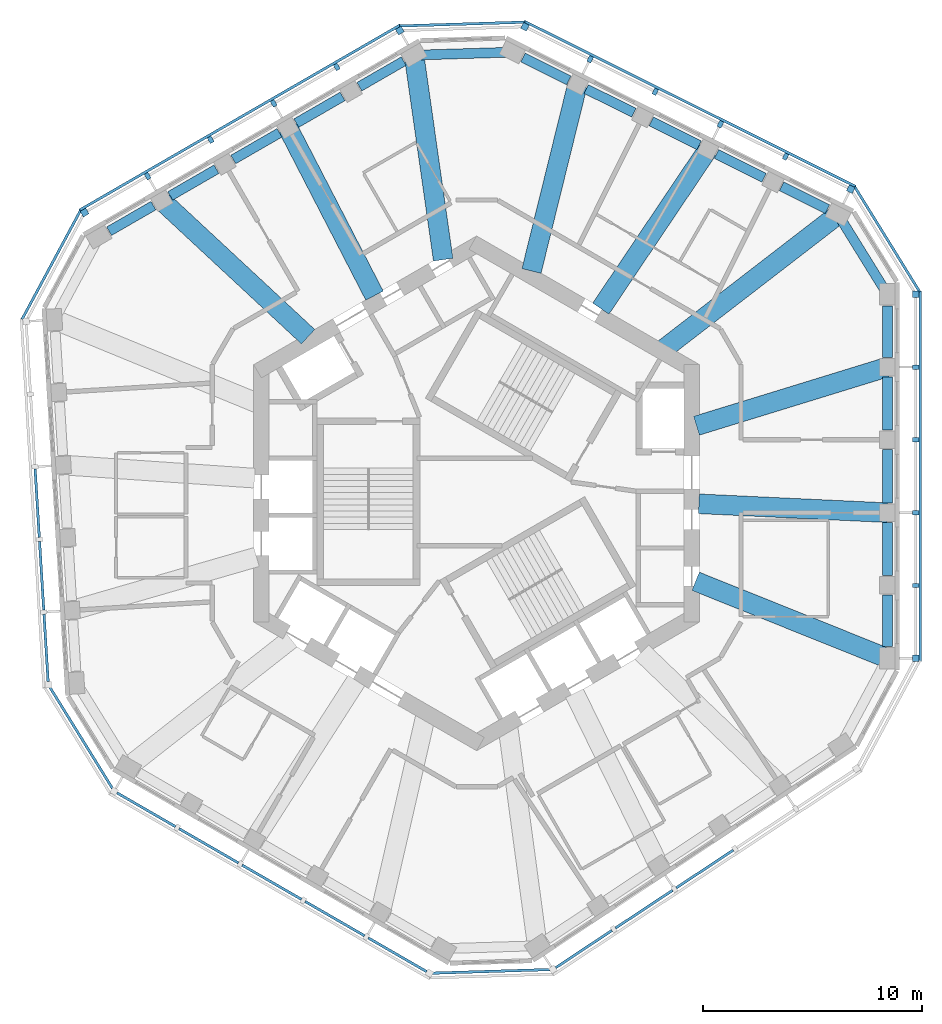
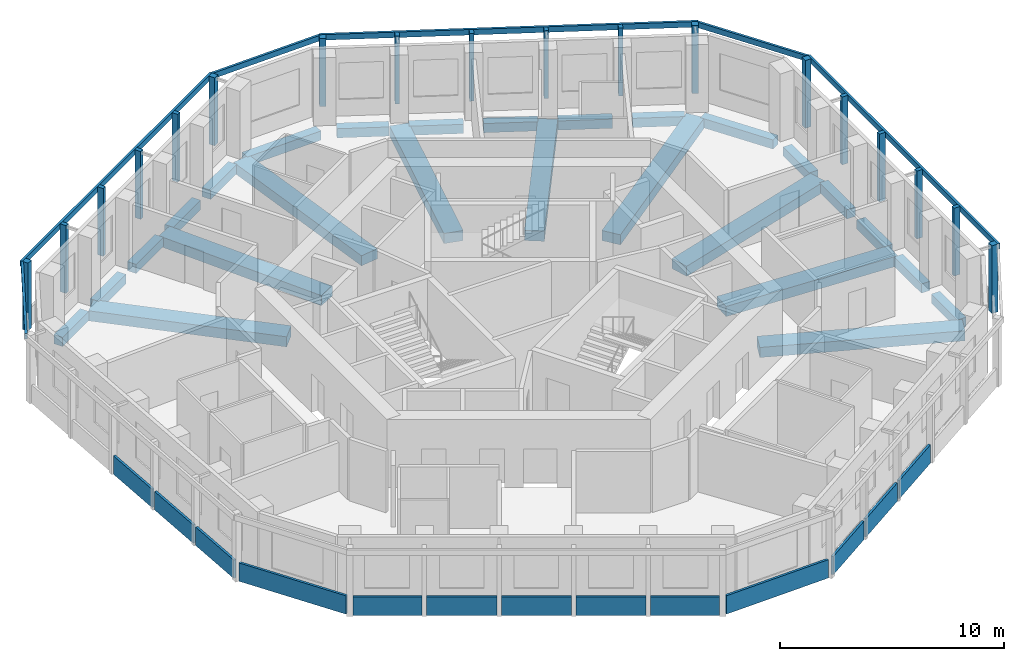
# One storey, part 2 of 11: 26 beams, 24 members, 13 plates, 11 elements without a shape of their own.
"""IFC4 building model written with IfcOpenShell, lengths in metres."""

import ifcopenshell
import ifcopenshell.guid

model = None  # the IFC model being written
_history = None  # IfcOwnerHistory: only IFC2X3 demands one
_inside = {}  # id of a spatial element -> (the spatial element, [elements in it])
_under = {}  # id of a project, library or spatial element -> (it, [spatial elements below it])
_declared = {}  # id of a project -> (the project, [libraries it declares])
_typed = {}  # id of a type object -> (the type object, [elements of that type])
_made_of = {}  # id of a material, layer set ... -> (it, [elements and type objects made of it])


def new_model(schema):
    """Start an empty IFC model of exactly this schema.

    Asked for "IFC4X3", IfcOpenShell would pick the latest addendum, in which some entities
    have other attributes; the version numbers below select the first issue.
    IFC2X3 requires an IfcOwnerHistory on every rooted entity: one is made here for all.
    """
    global model, _history
    if schema == "IFC4X3":
        model = ifcopenshell.file(schema_version=(4, 3, 0, 0))
    else:
        model = ifcopenshell.file(schema=schema)
    _inside.clear()
    _under.clear()
    _declared.clear()
    _typed.clear()
    _made_of.clear()
    _history = None
    if model.schema == "IFC2X3":
        org = make("IfcOrganization", Name="unknown")
        user = make(
            "IfcPersonAndOrganization",
            ThePerson=make("IfcPerson", FamilyName="unknown"),
            TheOrganization=org,
        )
        app = make(
            "IfcApplication",
            ApplicationDeveloper=org,
            Version="unknown",
            ApplicationFullName="unknown",
            ApplicationIdentifier="unknown",
        )
        _history = make(
            "IfcOwnerHistory",
            OwningUser=user,
            OwningApplication=app,
            ChangeAction="ADDED",
            CreationDate=0,
        )
    return model


def make(cls, **values):
    """One entity of the class cls with the attributes given. An attribute that is None is left unset."""
    return model.create_entity(
        cls, **{name: value for name, value in values.items() if value is not None}
    )


def rooted(cls, **values):
    """An entity with a GlobalId (a new one), such as an element, a storey or a relation."""
    return make(cls, GlobalId=ifcopenshell.guid.new(), OwnerHistory=_history, **values)


def si_unit(unit_type, name, prefix=None):
    """IfcSIUnit, for example si_unit("LENGTHUNIT", "METRE", prefix="MILLI")."""
    return make("IfcSIUnit", UnitType=unit_type, Prefix=prefix, Name=name)


def assignment(units):
    """IfcUnitAssignment: the units of a project."""
    return None if units is None else make("IfcUnitAssignment", Units=units)


def point(xyz):
    """IfcCartesianPoint."""
    return None if xyz is None else make("IfcCartesianPoint", Coordinates=xyz)


def direction(xyz):
    """IfcDirection."""
    return None if xyz is None else make("IfcDirection", DirectionRatios=xyz)


def frame(location, z_axis=None, x_axis=None):
    """IfcAxis2Placement3D, a coordinate frame: its origin and axes. An axis left out is left unset."""
    return make(
        "IfcAxis2Placement3D",
        Location=point(location),
        Axis=direction(z_axis),
        RefDirection=direction(x_axis),
    )


def frame_2d(location, x_axis=None):
    """IfcAxis2Placement2D, a coordinate frame in the plane: its origin and x axis."""
    return make(
        "IfcAxis2Placement2D", Location=point(location), RefDirection=direction(x_axis)
    )


def origin():
    """The frame at (0, 0, 0) with its axes left unset."""
    return frame((0.0, 0.0, 0.0))


def origin_2d():
    """The frame at (0, 0) in the plane with its x axis left unset."""
    return frame_2d((0.0, 0.0))


def place(relative_to, where):
    """IfcLocalPlacement: puts the frame where relative to a parent placement (None: the world)."""
    return make(
        "IfcLocalPlacement", PlacementRelTo=relative_to, RelativePlacement=where
    )


def context(
    kind, dimensions, precision=None, world=None, true_north=None, identifier=None
):
    """IfcGeometricRepresentationContext, for example the 3D "Model" context."""
    return make(
        "IfcGeometricRepresentationContext",
        ContextIdentifier=identifier,
        ContextType=kind,
        CoordinateSpaceDimension=dimensions,
        Precision=precision,
        WorldCoordinateSystem=world,
        TrueNorth=true_north,
    )


def subcontext(parent, identifier, kind, view, scale=None):
    """IfcGeometricRepresentationSubContext, for example "Body" below "Model"."""
    return make(
        "IfcGeometricRepresentationSubContext",
        ContextIdentifier=identifier,
        ContextType=kind,
        ParentContext=parent,
        TargetScale=scale,
        TargetView=view,
    )


def project(units=None, contexts=None):
    """IfcProject with its units and contexts."""
    return rooted(
        "IfcProject",
        Name="project",
        RepresentationContexts=contexts,
        UnitsInContext=assignment(units),
    )


def spatial(cls, under=None, at=None, **own):
    """A site, building, storey or space (cls), placed at a placement, below another one or the project."""
    s = rooted(cls, ObjectPlacement=at, **own)
    if under is not None:
        _under.setdefault(under.id(), (under, []))[1].append(s)
    return s


def profile(cls, at=None, kind="AREA", **sizes):
    """A parametric profile (cls). Its sizes go by their IFC names, for example OverallWidth=200.0."""
    return make(cls, ProfileType=kind, Position=at, **sizes)


def rectangle(**sizes):
    """IfcRectangleProfileDef."""
    return profile("IfcRectangleProfileDef", **sizes)


def extrude(swept, where, along, depth):
    """IfcExtrudedAreaSolid: the profile swept, set in the frame where, extruded along a direction by depth."""
    return make(
        "IfcExtrudedAreaSolid",
        SweptArea=swept,
        Position=where,
        ExtrudedDirection=direction(along),
        Depth=depth,
    )


def shape(context_of_items, identifier, shape_type, items):
    """IfcShapeRepresentation: the items that make up one representation, for example the "Body"."""
    return make(
        "IfcShapeRepresentation",
        ContextOfItems=context_of_items,
        RepresentationIdentifier=identifier,
        RepresentationType=shape_type,
        Items=items,
    )


def material(Name=None, Category=None):
    """IfcMaterial."""
    return make("IfcMaterial", Name=Name, Category=Category)


def layer(
    of_material, thickness, ventilated=None, Name=None, Category=None, Priority=None
):
    """IfcMaterialLayer: one layer of a wall or slab, of a material (None: an air gap)."""
    return make(
        "IfcMaterialLayer",
        Material=of_material,
        LayerThickness=thickness,
        IsVentilated=ventilated,
        Name=Name,
        Category=Category,
        Priority=Priority,
    )


def layer_set(layers, Name=None):
    """IfcMaterialLayerSet."""
    return make("IfcMaterialLayerSet", MaterialLayers=layers, LayerSetName=Name)


def material_profile(
    of_material, cross_section, Name=None, Category=None, Priority=None
):
    """IfcMaterialProfile: a cross section and its material."""
    return make(
        "IfcMaterialProfile",
        Name=Name,
        Material=of_material,
        Profile=cross_section,
        Priority=Priority,
        Category=Category,
    )


def profile_set(profiles, Name=None, composite=None):
    """IfcMaterialProfileSet."""
    return make(
        "IfcMaterialProfileSet",
        Name=Name,
        MaterialProfiles=profiles,
        CompositeProfile=composite,
    )


def made_of(thing, what):
    """Note that an element or type object is made of a material, layer set ...; save() writes the relation."""
    if what is not None:
        _made_of.setdefault(what.id(), (what, []))[1].append(thing)
    return thing


def type_object(cls, material=None, **own):
    """A type object (cls), such as IfcWallType, which elements share."""
    return made_of(rooted(cls, **own), material)


def element(
    cls,
    number,
    at=None,
    inside=None,
    cuts=None,
    type_object=None,
    material=None,
    context=None,
    identifier="Body",
    shape_type=None,
    held_by="IfcProductDefinitionShape",
    body=None,
    shapes=None,
    **own,
):
    """One element of the class cls, such as IfcWall. Its Tag is "e" and its number.

    at: its placement. inside: the storey or other place that contains it. cuts: it is an
    opening in that element (IfcRelVoidsElement). A single representation is given by context,
    identifier, shape_type and body (its items); several are given by shapes. held_by: the class
    of the entity that holds the representations. save() writes the other relations.
    """
    e = rooted(cls, Tag="e%d" % number, ObjectPlacement=at, **own)
    if body is not None:
        shapes = [shape(context, identifier, shape_type, body)]
    if shapes is not None:
        e.Representation = make(held_by, Representations=shapes)
    if inside is not None:
        _inside.setdefault(inside.id(), (inside, []))[1].append(e)
    if cuts is not None:
        rooted(
            "IfcRelVoidsElement", RelatingBuildingElement=cuts, RelatedOpeningElement=e
        )
    if type_object is not None:
        _typed.setdefault(type_object.id(), (type_object, []))[1].append(e)
    return made_of(e, material)


def aggregate(whole, parts):
    """IfcRelAggregates: a whole, such as a stair, and the parts it consists of."""
    return rooted("IfcRelAggregates", RelatingObject=whole, RelatedObjects=parts)


def save(model, path):
    """Write the relations noted so far, then the file.

    IfcRelAggregates (storeys below a building ...), IfcRelContainedInSpatialStructure (elements
    in a storey), IfcRelDefinesByType, IfcRelAssociatesMaterial and IfcRelDeclares: one each for
    every whole, place, type object, material and project.
    """
    for whole, parts in _under.values():
        aggregate(whole, parts)
    for where, things in _inside.values():
        rooted(
            "IfcRelContainedInSpatialStructure",
            RelatedElements=things,
            RelatingStructure=where,
        )
    for kind, things in _typed.values():
        rooted("IfcRelDefinesByType", RelatedObjects=things, RelatingType=kind)
    for what, things in _made_of.values():
        rooted("IfcRelAssociatesMaterial", RelatedObjects=things, RelatingMaterial=what)
    for by, libraries in _declared.values():
        rooted("IfcRelDeclares", RelatingContext=by, RelatedDefinitions=libraries)
    model.write(path)


model = new_model("IFC4")

# Units and contexts
model_context = context("Model", 3, precision=1e-05, world=origin(), true_north=direction((0.0, 1.0)))
body_context = subcontext(model_context, "Body", "Model", "MODEL_VIEW")
ifc_project = project(units=[si_unit("LENGTHUNIT", "METRE"), si_unit("AREAUNIT", "SQUARE_METRE"), si_unit("VOLUMEUNIT", "CUBIC_METRE"), si_unit("PLANEANGLEUNIT", "RADIAN"), si_unit("MASSUNIT", "GRAM", prefix="KILO")], contexts=[model_context])

# Site, building, storey
site_placement = place(None, origin())
site = spatial("IfcSite", under=ifc_project, at=site_placement, CompositionType="ELEMENT")
building_placement = place(site_placement, origin())
building = spatial("IfcBuilding", under=site, at=building_placement, Name="Vanh Sen Convention Tower", CompositionType="ELEMENT")
storey_placement = place(building_placement, frame((0.0, 0.0, 274.60009765625)))
storey = spatial("IfcBuildingStorey", under=building, at=storey_placement, Name="L68", CompositionType="ELEMENT", Elevation=274.60009765625)

# Curtain wall, members
ifc_material_1 = material(Name="Concrete C50/60", Category="concrete")
curtain_wall_type = type_object("IfcCurtainWallType", Name="Outer skin office zone", PredefinedType="NOTDEFINED", material=ifc_material_1)
curtain_wall_1_placement = place(storey_placement, origin())
curtain_wall_1 = element("IfcCurtainWall", 1, at=curtain_wall_1_placement, inside=storey, type_object=curtain_wall_type, Name="OUTER SKIN E L68", PredefinedType="NOTDEFINED")
ifc_material_profile_1 = material_profile(ifc_material_1, rectangle(XDim=0.300048828125, YDim=0.300048828125, at=origin_2d()), Name="Outer skin precast corner fin 300 x 300")
ifc_profile_set_1 = profile_set([ifc_material_profile_1], Name="Concrete C50/60")
member_type_1 = type_object("IfcMemberType", Name="Outer skin precast corner fin 300 x 300", PredefinedType="MULLION", material=ifc_profile_set_1)
member_1_placement = place(storey_placement, frame((20.10009765625, -7.546630859375, 0.0), z_axis=(0.0, 0.0, 1.0), x_axis=(0.0, 1.0, 0.0)))
member_1 = element("IfcMember", 2, at=member_1_placement, type_object=member_type_1, Name="OUTER SKIN CORNER FIN 1 E L68", PredefinedType="MULLION", context=body_context, shape_type="SweptSolid", body=[
    extrude(rectangle(XDim=0.300048828125, YDim=0.300048828125, at=origin_2d()), origin(), (0.0, 0.0, 1.0), 3.699951171875),
])
member_2_placement = place(storey_placement, frame((20.10009765625, 9.111572265625, 0.0), z_axis=(0.0, 0.0, 1.0), x_axis=(0.0, 1.0, 0.0)))
member_2 = element("IfcMember", 3, at=member_2_placement, type_object=member_type_1, Name="OUTER SKIN CORNER FIN 6 E L68", PredefinedType="MULLION", context=body_context, shape_type="SweptSolid", body=[
    extrude(rectangle(XDim=0.300048828125, YDim=0.300048828125, at=origin_2d()), origin(), (0.0, 0.0, 1.0), 3.699951171875),
])

curtain_wall_2_placement = place(storey_placement, origin())
curtain_wall_2 = element("IfcCurtainWall", 4, at=curtain_wall_2_placement, inside=storey, type_object=curtain_wall_type, Name="OUTER SKIN NE L68", PredefinedType="NOTDEFINED")
member_3_placement = place(storey_placement, frame((17.122802734375, 13.922607421875, 0.0), z_axis=(0.0, 0.0, 1.0), x_axis=(-0.894934361602, 0.44619781311, 0.0)))
member_3 = element("IfcMember", 5, at=member_3_placement, type_object=member_type_1, Name="OUTER SKIN CORNER FIN 1 NE L68", PredefinedType="MULLION", context=body_context, shape_type="SweptSolid", body=[
    extrude(rectangle(XDim=0.300048828125, YDim=0.300048828125, at=origin_2d()), origin(), (0.0, 0.0, 1.0), 3.699951171875),
])
member_4_placement = place(storey_placement, frame((2.21484375, 21.35546875, 0.0), z_axis=(0.0, 0.0, 1.0), x_axis=(-0.894934361602, 0.44619781311, 0.0)))
member_4 = element("IfcMember", 6, at=member_4_placement, type_object=member_type_1, Name="OUTER SKIN CORNER FIN 6 NE L68", PredefinedType="MULLION", context=body_context, shape_type="SweptSolid", body=[
    extrude(rectangle(XDim=0.300048828125, YDim=0.300048828125, at=origin_2d()), origin(), (0.0, 0.0, 1.0), 3.699951171875),
])

curtain_wall_3_placement = place(storey_placement, origin())
curtain_wall_3 = element("IfcCurtainWall", 7, at=curtain_wall_3_placement, inside=storey, type_object=curtain_wall_type, Name="OUTER SKIN NW L68", PredefinedType="NOTDEFINED")
member_5_placement = place(storey_placement, frame((-3.514404296875, 21.180419921875, 0.0), z_axis=(0.0, 0.0, 1.0), x_axis=(-0.866025403784, -0.5, 0.0)))
member_5 = element("IfcMember", 8, at=member_5_placement, type_object=member_type_1, Name="OUTER SKIN CORNER FIN 1 NW L68", PredefinedType="MULLION", context=body_context, shape_type="SweptSolid", body=[
    extrude(rectangle(XDim=0.300048828125, YDim=0.300048828125, at=origin_2d()), origin(), (0.0, 0.0, 1.0), 3.699951171875),
])
member_6_placement = place(storey_placement, frame((-17.94091796875, 12.851318359375, 0.0), z_axis=(0.0, 0.0, 1.0), x_axis=(-0.866025403784, -0.5, 0.0)))
member_6 = element("IfcMember", 9, at=member_6_placement, type_object=member_type_1, Name="OUTER SKIN CORNER FIN 6 NW L68", PredefinedType="MULLION", context=body_context, shape_type="SweptSolid", body=[
    extrude(rectangle(XDim=0.300048828125, YDim=0.300048828125, at=origin_2d()), origin(), (0.0, 0.0, 1.0), 3.699951171875),
])

# Member
ifc_material_profile_2 = material_profile(ifc_material_1, rectangle(XDim=0.199951171875, YDim=0.300048828125, at=origin_2d()), Name="Outer skin precast fin 200 x 300")
ifc_profile_set_2 = profile_set([ifc_material_profile_2], Name="Concrete C50/60")
member_type_2 = type_object("IfcMemberType", Name="Outer skin precast fin 200 x 300", PredefinedType="MULLION", material=ifc_profile_set_2)
member_7_placement = place(storey_placement, frame((20.10009765625, -4.215087890625, 0.0), z_axis=(0.0, 0.0, 1.0), x_axis=(0.0, 1.0, 0.0)))
member_7 = element("IfcMember", 10, at=member_7_placement, type_object=member_type_2, Name="OUTER SKIN fin 2 E L68", PredefinedType="MULLION", context=body_context, shape_type="SweptSolid", body=[
    extrude(rectangle(XDim=0.199951171875, YDim=0.300048828125, at=origin_2d()), origin(), (0.0, 0.0, 1.0), 3.699951171875),
])

member_8_placement = place(storey_placement, frame((20.10009765625, -0.88330078125, 0.0), z_axis=(0.0, 0.0, 1.0), x_axis=(0.0, 1.0, 0.0)))
member_8 = element("IfcMember", 11, at=member_8_placement, type_object=member_type_2, Name="OUTER SKIN fin 3 E L68", PredefinedType="MULLION", context=body_context, shape_type="SweptSolid", body=[
    extrude(rectangle(XDim=0.199951171875, YDim=0.300048828125, at=origin_2d()), origin(), (0.0, 0.0, 1.0), 3.699951171875),
])

member_9_placement = place(storey_placement, frame((20.10009765625, 2.4482421875, 0.0), z_axis=(0.0, 0.0, 1.0), x_axis=(0.0, 1.0, 0.0)))
member_9 = element("IfcMember", 12, at=member_9_placement, type_object=member_type_2, Name="OUTER SKIN fin 4 E L68", PredefinedType="MULLION", context=body_context, shape_type="SweptSolid", body=[
    extrude(rectangle(XDim=0.199951171875, YDim=0.300048828125, at=origin_2d()), origin(), (0.0, 0.0, 1.0), 3.699951171875),
])

member_10_placement = place(storey_placement, frame((20.10009765625, 5.77978515625, 0.0), z_axis=(0.0, 0.0, 1.0), x_axis=(0.0, 1.0, 0.0)))
member_10 = element("IfcMember", 13, at=member_10_placement, type_object=member_type_2, Name="OUTER SKIN fin 5 E L68", PredefinedType="MULLION", context=body_context, shape_type="SweptSolid", body=[
    extrude(rectangle(XDim=0.199951171875, YDim=0.300048828125, at=origin_2d()), origin(), (0.0, 0.0, 1.0), 3.699951171875),
])

member_11_placement = place(storey_placement, frame((14.14111328125, 15.4091796875, 0.0), z_axis=(0.0, 0.0, 1.0), x_axis=(-0.894934361602, 0.44619781311, 0.0)))
member_11 = element("IfcMember", 14, at=member_11_placement, type_object=member_type_2, Name="OUTER SKIN fin 2 NE L68", PredefinedType="MULLION", context=body_context, shape_type="SweptSolid", body=[
    extrude(rectangle(XDim=0.199951171875, YDim=0.300048828125, at=origin_2d()), origin(), (0.0, 0.0, 1.0), 3.699951171875),
])

member_12_placement = place(storey_placement, frame((11.15966796875, 16.895751953125, 0.0), z_axis=(0.0, 0.0, 1.0), x_axis=(-0.894934361602, 0.44619781311, 0.0)))
member_12 = element("IfcMember", 15, at=member_12_placement, type_object=member_type_2, Name="OUTER SKIN fin 3 NE L68", PredefinedType="MULLION", context=body_context, shape_type="SweptSolid", body=[
    extrude(rectangle(XDim=0.199951171875, YDim=0.300048828125, at=origin_2d()), origin(), (0.0, 0.0, 1.0), 3.699951171875),
])

member_13_placement = place(storey_placement, frame((8.177978515625, 18.38232421875, 0.0), z_axis=(0.0, 0.0, 1.0), x_axis=(-0.894934361602, 0.44619781311, 0.0)))
member_13 = element("IfcMember", 16, at=member_13_placement, type_object=member_type_2, Name="OUTER SKIN fin 4 NE L68", PredefinedType="MULLION", context=body_context, shape_type="SweptSolid", body=[
    extrude(rectangle(XDim=0.199951171875, YDim=0.300048828125, at=origin_2d()), origin(), (0.0, 0.0, 1.0), 3.699951171875),
])

member_14_placement = place(storey_placement, frame((5.1962890625, 19.868896484375, 0.0), z_axis=(0.0, 0.0, 1.0), x_axis=(-0.894934361602, 0.44619781311, 0.0)))
member_14 = element("IfcMember", 17, at=member_14_placement, type_object=member_type_2, Name="OUTER SKIN fin 5 NE L68", PredefinedType="MULLION", context=body_context, shape_type="SweptSolid", body=[
    extrude(rectangle(XDim=0.199951171875, YDim=0.300048828125, at=origin_2d()), origin(), (0.0, 0.0, 1.0), 3.699951171875),
])

member_15_placement = place(storey_placement, frame((-6.399658203125, 19.5146484375, 0.0), z_axis=(0.0, 0.0, 1.0), x_axis=(-0.866025403784, -0.5, 0.0)))
member_15 = element("IfcMember", 18, at=member_15_placement, type_object=member_type_2, Name="OUTER SKIN fin 2 NW L68", PredefinedType="MULLION", context=body_context, shape_type="SweptSolid", body=[
    extrude(rectangle(XDim=0.199951171875, YDim=0.300048828125, at=origin_2d()), origin(), (0.0, 0.0, 1.0), 3.699951171875),
])

member_16_placement = place(storey_placement, frame((-9.284912109375, 17.848876953125, 0.0), z_axis=(0.0, 0.0, 1.0), x_axis=(-0.866025403784, -0.5, 0.0)))
member_16 = element("IfcMember", 19, at=member_16_placement, type_object=member_type_2, Name="OUTER SKIN fin 3 NW L68", PredefinedType="MULLION", context=body_context, shape_type="SweptSolid", body=[
    extrude(rectangle(XDim=0.199951171875, YDim=0.300048828125, at=origin_2d()), origin(), (0.0, 0.0, 1.0), 3.699951171875),
])

member_17_placement = place(storey_placement, frame((-12.170166015625, 16.18310546875, 0.0), z_axis=(0.0, 0.0, 1.0), x_axis=(-0.866025403784, -0.5, 0.0)))
member_17 = element("IfcMember", 20, at=member_17_placement, type_object=member_type_2, Name="OUTER SKIN fin 4 NW L68", PredefinedType="MULLION", context=body_context, shape_type="SweptSolid", body=[
    extrude(rectangle(XDim=0.199951171875, YDim=0.300048828125, at=origin_2d()), origin(), (0.0, 0.0, 1.0), 3.699951171875),
])

member_18_placement = place(storey_placement, frame((-15.055419921875, 14.51708984375, 0.0), z_axis=(0.0, 0.0, 1.0), x_axis=(-0.866025403784, -0.5, 0.0)))
member_18 = element("IfcMember", 21, at=member_18_placement, type_object=member_type_2, Name="OUTER SKIN fin 5 NW L68", PredefinedType="MULLION", context=body_context, shape_type="SweptSolid", body=[
    extrude(rectangle(XDim=0.199951171875, YDim=0.300048828125, at=origin_2d()), origin(), (0.0, 0.0, 1.0), 3.699951171875),
])

ifc_material_profile_3 = material_profile(ifc_material_1, rectangle(XDim=0.1201171875, YDim=0.300048828125, at=origin_2d()), Name="Outer skin precast spandrel band 300 x 120")
ifc_profile_set_3 = profile_set([ifc_material_profile_3], Name="Concrete C50/60")
member_type_3 = type_object("IfcMemberType", Name="Outer skin precast spandrel band 300 x 120", PredefinedType="USERDEFINED", material=ifc_profile_set_3)
member_19_placement = place(storey_placement, frame((20.31005859375, -7.69677734375, 3.5498046875), z_axis=(0.0, 1.0, 0.0), x_axis=(-1.0, 0.0, 0.0)))
member_19 = element("IfcMember", 22, at=member_19_placement, type_object=member_type_3, Name="OUTER SKIN spandrel band E L68", ObjectType="TRANSOM", PredefinedType="USERDEFINED", context=body_context, shape_type="SweptSolid", body=[
    extrude(rectangle(XDim=0.1201171875, YDim=0.300048828125, at=origin_2d()), origin(), (0.0, 0.0, 1.0), 16.958251953125),
])

aggregate(curtain_wall_1, [member_1, member_7, member_8, member_9, member_10, member_2, member_19])

# Curtain wall, member
curtain_wall_4_placement = place(storey_placement, origin())
curtain_wall_4 = element("IfcCurtainWall", 23, at=curtain_wall_4_placement, inside=storey, type_object=curtain_wall_type, Name="OUTER SKIN CH1 L68", PredefinedType="NOTDEFINED")
member_20_placement = place(storey_placement, frame((20.278564453125, 9.221923828125, 3.5498046875), z_axis=(-0.52621200061, 0.850353415007, 0.0), x_axis=(-0.850353415007, -0.52621200061, 0.0)))
member_20 = element("IfcMember", 24, at=member_20_placement, type_object=member_type_3, Name="OUTER SKIN spandrel band CH1 L68", ObjectType="TRANSOM", PredefinedType="USERDEFINED", context=body_context, shape_type="SweptSolid", body=[
    extrude(rectangle(XDim=0.1201171875, YDim=0.300048828125, at=origin_2d()), origin(), (0.0, 0.0, 1.0), 5.657958984375),
])
aggregate(curtain_wall_4, [member_20])

# Member
member_21_placement = place(storey_placement, frame((17.3505859375, 14.043701171875, 3.5498046875), z_axis=(-0.894933383827, 0.446199774218, 0.0), x_axis=(-0.446199774218, -0.894933383827, 0.0)))
member_21 = element("IfcMember", 25, at=member_21_placement, type_object=member_type_3, Name="OUTER SKIN spandrel band NE L68", ObjectType="TRANSOM", PredefinedType="USERDEFINED", context=body_context, shape_type="SweptSolid", body=[
    extrude(rectangle(XDim=0.1201171875, YDim=0.300048828125, at=origin_2d()), origin(), (0.0, 0.0, 1.0), 16.9580078125),
])

aggregate(curtain_wall_2, [member_3, member_11, member_12, member_13, member_14, member_4, member_21])

# Curtain wall, member
curtain_wall_5_placement = place(storey_placement, origin())
curtain_wall_5 = element("IfcCurtainWall", 26, at=curtain_wall_5_placement, inside=storey, type_object=curtain_wall_type, Name="OUTER SKIN CH2 L68", PredefinedType="NOTDEFINED")
member_22_placement = place(storey_placement, frame((2.208251953125, 21.5654296875, 3.5498046875), z_axis=(-0.999533527312, -0.030540592307, 0.0), x_axis=(0.030540592307, -0.999533527312, 0.0)))
member_22 = element("IfcMember", 27, at=member_22_placement, type_object=member_type_3, Name="OUTER SKIN spandrel band CH2 L68", ObjectType="TRANSOM", PredefinedType="USERDEFINED", context=body_context, shape_type="SweptSolid", body=[
    extrude(rectangle(XDim=0.1201171875, YDim=0.300048828125, at=origin_2d()), origin(), (0.0, 0.0, 1.0), 5.731689453125),
])
aggregate(curtain_wall_5, [member_22])

# Member
member_23_placement = place(storey_placement, frame((-3.489501953125, 21.4375, 3.5498046875), z_axis=(-0.866022320763, -0.500005339912, 0.0), x_axis=(0.500005339912, -0.866022320763, 0.0)))
member_23 = element("IfcMember", 28, at=member_23_placement, type_object=member_type_3, Name="OUTER SKIN spandrel band NW L68", ObjectType="TRANSOM", PredefinedType="USERDEFINED", context=body_context, shape_type="SweptSolid", body=[
    extrude(rectangle(XDim=0.1201171875, YDim=0.300048828125, at=origin_2d()), origin(), (0.0, 0.0, 1.0), 16.958251953125),
])

aggregate(curtain_wall_3, [member_5, member_15, member_16, member_17, member_18, member_6, member_23])

# Curtain wall, member
curtain_wall_6_placement = place(storey_placement, origin())
curtain_wall_6 = element("IfcCurtainWall", 29, at=curtain_wall_6_placement, inside=storey, type_object=curtain_wall_type, Name="OUTER SKIN CH3 L68", PredefinedType="NOTDEFINED")
member_24_placement = place(storey_placement, frame((-18.125732421875, 12.95068359375, 3.5498046875), z_axis=(-0.473325096028, -0.880887821161, 0.0), x_axis=(0.880887821161, -0.473325096028, 0.0)))
member_24 = element("IfcMember", 30, at=member_24_placement, type_object=member_type_3, Name="OUTER SKIN spandrel band CH3 L68", ObjectType="TRANSOM", PredefinedType="USERDEFINED", context=body_context, shape_type="SweptSolid", body=[
    extrude(rectangle(XDim=0.1201171875, YDim=0.300048828125, at=origin_2d()), origin(), (0.0, 0.0, 1.0), 5.65771484375),
])
aggregate(curtain_wall_6, [member_24])

# Beams
ifc_material_2 = material(Name="Concrete C50/60", Category="concrete")
ifc_material_profile_4 = material_profile(ifc_material_2, rectangle(XDim=0.89990234375, YDim=0.550048828125, at=origin_2d()), Name="RC 900X550")
ifc_profile_set_4 = profile_set([ifc_material_profile_4], Name="Concrete C50/60")
beam_type_1 = type_object("IfcBeamType", Name="Radial floor beam 900 x 550", PredefinedType="BEAM", material=ifc_profile_set_4)
beam_1_placement = place(storey_placement, frame((18.622314453125, -7.475341796875, -0.55517578125), z_axis=(-0.928026959264, 0.372513037194, 0.0), x_axis=(-0.372513037194, -0.928026959264, 0.0)))
element("IfcBeam", 31, at=beam_1_placement, inside=storey, type_object=beam_type_1, Name="Radial beam 01 L68", PredefinedType="BEAM", context=body_context, shape_type="SweptSolid", body=[
    extrude(rectangle(XDim=0.89990234375, YDim=0.550048828125, at=origin_2d()), origin(), (0.0, 0.0, 1.0), 9.26123046875),
])
beam_2_placement = place(storey_placement, frame((18.79443359375, -0.883056640625, -0.55517578125), z_axis=(-0.998898082591, 0.046932084934, 0.0), x_axis=(-0.046932084934, -0.998898082591, 0.0)))
element("IfcBeam", 32, at=beam_2_placement, inside=storey, type_object=beam_type_1, Name="Radial beam 02 L68", PredefinedType="BEAM", context=body_context, shape_type="SweptSolid", body=[
    extrude(rectangle(XDim=0.89990234375, YDim=0.550048828125, at=origin_2d()), origin(), (0.0, 0.0, 1.0), 8.630126953125),
])
beam_3_placement = place(storey_placement, frame((18.740234375, 5.761474609375, -0.55517578125), z_axis=(-0.955847016308, -0.293864733194, 0.0), x_axis=(0.293864733194, -0.955847016308, 0.0)))
element("IfcBeam", 33, at=beam_3_placement, inside=storey, type_object=beam_type_1, Name="Radial beam 03 L68", PredefinedType="BEAM", context=body_context, shape_type="SweptSolid", body=[
    extrude(rectangle(XDim=0.89990234375, YDim=0.550048828125, at=origin_2d()), origin(), (0.0, 0.0, 1.0), 9.078125),
])
beam_4_placement = place(storey_placement, frame((16.411376953125, 12.657958984375, -0.55517578125), z_axis=(-0.79182558746, -0.610747279194, 0.0), x_axis=(0.610747279194, -0.79182558746, 0.0)))
element("IfcBeam", 34, at=beam_4_placement, inside=storey, type_object=beam_type_1, Name="Radial beam 04 L68", PredefinedType="BEAM", context=body_context, shape_type="SweptSolid", body=[
    extrude(rectangle(XDim=0.89990234375, YDim=0.550048828125, at=origin_2d()), origin(), (0.0, 0.0, 1.0), 9.88671875),
])
beam_5_placement = place(storey_placement, frame((10.56591796875, 15.712158203125, -0.55517578125), z_axis=(-0.558026091819, -0.829823403411, 0.0), x_axis=(0.829823403411, -0.558026091819, 0.0)))
element("IfcBeam", 35, at=beam_5_placement, inside=storey, type_object=beam_type_1, Name="Radial beam 05 L68", PredefinedType="BEAM", context=body_context, shape_type="SweptSolid", body=[
    extrude(rectangle(XDim=0.89990234375, YDim=0.550048828125, at=origin_2d()), origin(), (0.0, 0.0, 1.0), 8.74609375),
])
beam_6_placement = place(storey_placement, frame((4.60546875, 18.661865234375, -0.55517578125), z_axis=(-0.239596094666, -0.970872654585, 0.0), x_axis=(0.970872654585, -0.239596094666, 0.0)))
element("IfcBeam", 36, at=beam_6_placement, inside=storey, type_object=beam_type_1, Name="Radial beam 06 L68", PredefinedType="BEAM", context=body_context, shape_type="SweptSolid", body=[
    extrude(rectangle(XDim=0.89990234375, YDim=0.550048828125, at=origin_2d()), origin(), (0.0, 0.0, 1.0), 8.73876953125),
])
beam_7_placement = place(storey_placement, frame((-2.837158203125, 19.864990234375, -0.55517578125), z_axis=(0.14138075825, -0.989955292524, 0.0), x_axis=(0.989955292524, 0.14138075825, 0.0)))
element("IfcBeam", 37, at=beam_7_placement, inside=storey, type_object=beam_type_1, Name="Radial beam 07 L68", PredefinedType="BEAM", context=body_context, shape_type="SweptSolid", body=[
    extrude(rectangle(XDim=0.89990234375, YDim=0.550048828125, at=origin_2d()), origin(), (0.0, 0.0, 1.0), 9.260986328125),
])
beam_8_placement = place(storey_placement, frame((-8.63232421875, 16.71826171875, -0.55517578125), z_axis=(0.458785589153, -0.888547006739, 0.0), x_axis=(0.888547006739, 0.458785589153, 0.0)))
element("IfcBeam", 38, at=beam_8_placement, inside=storey, type_object=beam_type_1, Name="Radial beam 08 L68", PredefinedType="BEAM", context=body_context, shape_type="SweptSolid", body=[
    extrude(rectangle(XDim=0.89990234375, YDim=0.550048828125, at=origin_2d()), origin(), (0.0, 0.0, 1.0), 8.63037109375),
])
beam_9_placement = place(storey_placement, frame((-14.359619140625, 13.3486328125, -0.55517578125), z_axis=(0.73242748177, -0.680845051351, 0.0), x_axis=(0.680845051351, 0.73242748177, 0.0)))
element("IfcBeam", 39, at=beam_9_placement, inside=storey, type_object=beam_type_1, Name="Radial beam 09 L68", PredefinedType="BEAM", context=body_context, shape_type="SweptSolid", body=[
    extrude(rectangle(XDim=0.89990234375, YDim=0.550048828125, at=origin_2d()), origin(), (0.0, 0.0, 1.0), 9.077880859375),
])
ifc_material_profile_5 = material_profile(ifc_material_2, rectangle(XDim=0.449951171875, YDim=0.5, at=origin_2d()), Name="RC 450X500")
ifc_profile_set_5 = profile_set([ifc_material_profile_5], Name="Concrete C50/60")
beam_type_2 = type_object("IfcBeamType", Name="Spandrel beam 450 x 500", PredefinedType="SPANDREL", material=ifc_profile_set_5)
beam_10_placement = place(storey_placement, frame((18.800048828125, -7.001708984375, -0.530029296875), z_axis=(0.0, 1.0, 0.0), x_axis=(-1.0, 0.0, 0.0)))
element("IfcBeam", 40, at=beam_10_placement, inside=storey, type_object=beam_type_2, Name="Spandrel beam 01 L68", PredefinedType="SPANDREL", context=body_context, shape_type="SweptSolid", body=[
    extrude(rectangle(XDim=0.449951171875, YDim=0.5, at=origin_2d()), origin(), (0.0, 0.0, 1.0), 2.341552734375),
])
for number, where, z_axis, x_axis, name in (
    (41, (18.800048828125, -3.77001953125, -0.530029296875), (0.0, 1.0, 0.0), (-1.0, 0.0, 0.0), "Spandrel beam 02 L68"),
    (42, (18.800048828125, -0.4384765625, -0.530029296875), (0.0, 1.0, 0.0), (-1.0, 0.0, 0.0), "Spandrel beam 03 L68"),
    (43, (18.800048828125, 2.893310546875, -0.530029296875), (0.0, 1.0, 0.0), (-1.0, 0.0, 0.0), "Spandrel beam 04 L68"),
):
    element("IfcBeam", number, at=place(storey_placement, frame(where, z_axis=z_axis, x_axis=x_axis)), inside=storey, type_object=beam_type_2, Name=name, PredefinedType="SPANDREL", context=body_context, shape_type="SweptSolid", body=[
        extrude(rectangle(XDim=0.449951171875, YDim=0.5, at=origin_2d()), origin(), (0.0, 0.0, 1.0), 2.441650390625),
    ])
beam_11_placement = place(storey_placement, frame((18.800048828125, 6.224853515625, -0.530029296875), z_axis=(0.0, 1.0, 0.0), x_axis=(-1.0, 0.0, 0.0)))
element("IfcBeam", 44, at=beam_11_placement, inside=storey, type_object=beam_type_2, Name="Spandrel beam 05 L68", PredefinedType="SPANDREL", context=body_context, shape_type="SweptSolid", body=[
    extrude(rectangle(XDim=0.449951171875, YDim=0.5, at=origin_2d()), origin(), (0.0, 0.0, 1.0), 2.341552734375),
])
beam_12_placement = place(storey_placement, frame((18.64404296875, 9.36376953125, -0.530029296875), z_axis=(-0.526247747243, 0.850331293392, 0.0), x_axis=(-0.850331293392, -0.526247747243, 0.0)))
element("IfcBeam", 45, at=beam_12_placement, inside=storey, type_object=beam_type_2, Name="Spandrel beam 06 L68", PredefinedType="SPANDREL", context=body_context, shape_type="SweptSolid", body=[
    extrude(rectangle(XDim=0.449951171875, YDim=0.5, at=origin_2d()), origin(), (0.0, 0.0, 1.0), 3.696533203125),
])
beam_13_placement = place(storey_placement, frame((16.054931640625, 13.00244140625, -0.530029296875), z_axis=(-0.894947932365, 0.446170593334, 0.0), x_axis=(-0.446170593334, -0.894947932365, 0.0)))
element("IfcBeam", 46, at=beam_13_placement, inside=storey, type_object=beam_type_2, Name="Spandrel beam 07 L68", PredefinedType="SPANDREL", context=body_context, shape_type="SweptSolid", body=[
    extrude(rectangle(XDim=0.449951171875, YDim=0.5, at=origin_2d()), origin(), (0.0, 0.0, 1.0), 2.341552734375),
])
for number, where, z_axis, x_axis, name in (
    (47, (13.162841796875, 14.4443359375, -0.530029296875), (-0.894946555388, 0.446173355323, 0.0), (-0.446173355323, -0.894946555388, 0.0), "Spandrel beam 08 L68"),
    (48, (10.18115234375, 15.930908203125, -0.530029296875), (-0.894906625839, 0.446253438114, 0.0), (-0.446253438114, -0.894906625839, 0.0), "Spandrel beam 09 L68"),
    (49, (7.19970703125, 17.41748046875, -0.530029296875), (-0.894946555388, 0.446173355323, 0.0), (-0.446173355323, -0.894946555388, 0.0), "Spandrel beam 10 L68"),
):
    element("IfcBeam", number, at=place(storey_placement, frame(where, z_axis=z_axis, x_axis=x_axis)), inside=storey, type_object=beam_type_2, Name=name, PredefinedType="SPANDREL", context=body_context, shape_type="SweptSolid", body=[
        extrude(rectangle(XDim=0.449951171875, YDim=0.5, at=origin_2d()), origin(), (0.0, 0.0, 1.0), 2.441650390625),
    ])
beam_14_placement = place(storey_placement, frame((4.218017578125, 18.904052734375, -0.530029296875), z_axis=(-0.894927056226, 0.446212465127, 0.0), x_axis=(-0.446212465127, -0.894927056226, 0.0)))
element("IfcBeam", 50, at=beam_14_placement, inside=storey, type_object=beam_type_2, Name="Spandrel beam 11 L68", PredefinedType="SPANDREL", context=body_context, shape_type="SweptSolid", body=[
    extrude(rectangle(XDim=0.449951171875, YDim=0.5, at=origin_2d()), origin(), (0.0, 0.0, 1.0), 2.341796875),
])
beam_15_placement = place(storey_placement, frame((1.319091796875, 20.1826171875, -0.530029296875), z_axis=(-0.9995317546, -0.030598554629, 0.0), x_axis=(0.030598554629, -0.9995317546, 0.0)))
element("IfcBeam", 51, at=beam_15_placement, inside=storey, type_object=beam_type_2, Name="Spandrel beam 12 L68", PredefinedType="SPANDREL", context=body_context, shape_type="SweptSolid", body=[
    extrude(rectangle(XDim=0.449951171875, YDim=0.5, at=origin_2d()), origin(), (0.0, 0.0, 1.0), 3.86962890625),
])
beam_16_placement = place(storey_placement, frame((-3.336181640625, 19.7822265625, -0.530029296875), z_axis=(-0.866027601604, -0.499996193246, 0.0), x_axis=(0.499996193246, -0.866027601604, 0.0)))
element("IfcBeam", 52, at=beam_16_placement, inside=storey, type_object=beam_type_2, Name="Spandrel beam 13 L68", PredefinedType="SPANDREL", context=body_context, shape_type="SweptSolid", body=[
    extrude(rectangle(XDim=0.449951171875, YDim=0.5, at=origin_2d()), origin(), (0.0, 0.0, 1.0), 2.341796875),
])
for number, where, z_axis, x_axis, name in (
    (53, (-6.135009765625, 18.166259765625, -0.530029296875), (-0.866044051031, -0.49996770063, 0.0), (0.49996770063, -0.866044051031, 0.0), "Spandrel beam 14 L68"),
    (54, (-9.020263671875, 16.50048828125, -0.530029296875), (-0.866044051031, -0.49996770063, 0.0), (0.49996770063, -0.866044051031, 0.0), "Spandrel beam 15 L68"),
    (55, (-11.905517578125, 14.834716796875, -0.530029296875), (-0.866000753341, -0.500042693391, 0.0), (0.500042693391, -0.866000753341, 0.0), "Spandrel beam 16 L68"),
):
    element("IfcBeam", number, at=place(storey_placement, frame(where, z_axis=z_axis, x_axis=x_axis)), inside=storey, type_object=beam_type_2, Name=name, PredefinedType="SPANDREL", context=body_context, shape_type="SweptSolid", body=[
        extrude(rectangle(XDim=0.449951171875, YDim=0.5, at=origin_2d()), origin(), (0.0, 0.0, 1.0), 2.441650390625),
    ])
beam_17_placement = place(storey_placement, frame((-14.791015625, 13.168701171875, -0.530029296875), z_axis=(-0.866046683436, -0.499963140751, 0.0), x_axis=(0.499963140751, -0.866046683436, 0.0)))
element("IfcBeam", 56, at=beam_17_placement, inside=storey, type_object=beam_type_2, Name="Spandrel beam 17 L68", PredefinedType="SPANDREL", context=body_context, shape_type="SweptSolid", body=[
    extrude(rectangle(XDim=0.449951171875, YDim=0.5, at=origin_2d()), origin(), (0.0, 0.0, 1.0), 2.341552734375),
])

# Curtain wall, plates
curtain_wall_7_placement = place(storey_placement, origin())
curtain_wall_7 = element("IfcCurtainWall", 57, at=curtain_wall_7_placement, inside=storey, type_object=curtain_wall_type, Name="OUTER SKIN W L68", PredefinedType="NOTDEFINED")
ifc_layer = layer(ifc_material_1, 0.1201171875)
ifc_layer_set = layer_set([ifc_layer], Name="Concrete C50/60")
plate_type = type_object("IfcPlateType", Name="Outer skin precast screen panel 120", PredefinedType="CURTAIN_PANEL", material=ifc_layer_set)
plate_1_placement = place(storey_placement, frame((-20.1103515625, -0.4462890625, 0.0), z_axis=(0.0, 0.0, 1.0), x_axis=(0.061052023682, -0.998134585316, 0.0)))
plate_1 = element("IfcPlate", 58, at=plate_1_placement, type_object=plate_type, Name="OUTER SKIN screen panel W-3", PredefinedType="CURTAIN_PANEL", context=body_context, shape_type="SweptSolid", body=[
    extrude(rectangle(XDim=3.131591796875, YDim=0.1201171875, at=origin_2d()), origin(), (0.0, 0.0, 1.0), 1.0),
])
plate_2_placement = place(storey_placement, frame((-19.906982421875, -3.771484375, 0.0), z_axis=(0.0, 0.0, 1.0), x_axis=(0.061052023682, -0.998134585316, 0.0)))
plate_2 = element("IfcPlate", 59, at=plate_2_placement, type_object=plate_type, Name="OUTER SKIN screen panel W-4", PredefinedType="CURTAIN_PANEL", context=body_context, shape_type="SweptSolid", body=[
    extrude(rectangle(XDim=3.131591796875, YDim=0.1201171875, at=origin_2d()), origin(), (0.0, 0.0, 1.0), 1.0),
])
plate_3_placement = place(storey_placement, frame((-19.705078125, -7.072021484375, 0.0), z_axis=(0.0, 0.0, 1.0), x_axis=(0.061050281609, -0.998134691871, 0.0)))
plate_3 = element("IfcPlate", 60, at=plate_3_placement, type_object=plate_type, Name="OUTER SKIN screen panel W-5", PredefinedType="CURTAIN_PANEL", context=body_context, shape_type="SweptSolid", body=[
    extrude(rectangle(XDim=3.081787109375, YDim=0.1201171875, at=origin_2d()), origin(), (0.0, 0.0, 1.0), 1.0),
])
aggregate(curtain_wall_7, [plate_1, plate_2, plate_3])

# Curtain wall, plate
curtain_wall_8_placement = place(storey_placement, origin())
curtain_wall_8 = element("IfcCurtainWall", 61, at=curtain_wall_8_placement, inside=storey, type_object=curtain_wall_type, Name="OUTER SKIN CH4 L68", PredefinedType="NOTDEFINED")
plate_4_placement = place(storey_placement, frame((-18.09375, -11.19677734375, 0.0), z_axis=(0.0, 0.0, 1.0), x_axis=(0.526210955359, -0.850354061823, 0.0)))
plate_4 = element("IfcPlate", 62, at=plate_4_placement, type_object=plate_type, Name="OUTER SKIN screen panel CH4-1", PredefinedType="CURTAIN_PANEL", context=body_context, shape_type="SweptSolid", body=[
    extrude(rectangle(XDim=5.431640625, YDim=0.1201171875, at=origin_2d()), origin(), (0.0, 0.0, 1.0), 1.0),
])
aggregate(curtain_wall_8, [plate_4])

# Curtain wall, plates
curtain_wall_9_placement = place(storey_placement, origin())
curtain_wall_9 = element("IfcCurtainWall", 63, at=curtain_wall_9_placement, inside=storey, type_object=curtain_wall_type, Name="OUTER SKIN SW L68", PredefinedType="NOTDEFINED")
plate_5_placement = place(storey_placement, frame((-15.121337890625, -14.47900390625, 0.0), z_axis=(0.0, 0.0, 1.0), x_axis=(0.866028894422, -0.49999395399, 0.0)))
plate_5 = element("IfcPlate", 64, at=plate_5_placement, type_object=plate_type, Name="OUTER SKIN screen panel SW-1", PredefinedType="CURTAIN_PANEL", context=body_context, shape_type="SweptSolid", body=[
    extrude(rectangle(XDim=3.08154296875, YDim=0.1201171875, at=origin_2d()), origin(), (0.0, 0.0, 1.0), 1.0),
])
plate_6_placement = place(storey_placement, frame((-12.2578125, -16.132568359375, 0.0), z_axis=(0.0, 0.0, 1.0), x_axis=(0.866015804314, -0.500016626402, 0.0)))
plate_6 = element("IfcPlate", 65, at=plate_6_placement, type_object=plate_type, Name="OUTER SKIN screen panel SW-2", PredefinedType="CURTAIN_PANEL", context=body_context, shape_type="SweptSolid", body=[
    extrude(rectangle(XDim=3.131591796875, YDim=0.1201171875, at=origin_2d()), origin(), (0.0, 0.0, 1.0), 1.0),
])
plate_7_placement = place(storey_placement, frame((-9.37255859375, -17.79833984375, 0.0), z_axis=(0.0, 0.0, 1.0), x_axis=(0.866028894422, -0.49999395399, 0.0)))
plate_7 = element("IfcPlate", 66, at=plate_7_placement, type_object=plate_type, Name="OUTER SKIN screen panel SW-3", PredefinedType="CURTAIN_PANEL", context=body_context, shape_type="SweptSolid", body=[
    extrude(rectangle(XDim=3.131591796875, YDim=0.1201171875, at=origin_2d()), origin(), (0.0, 0.0, 1.0), 1.0),
])
plate_8_placement = place(storey_placement, frame((-6.487060546875, -19.464111328125, 0.0), z_axis=(0.0, 0.0, 1.0), x_axis=(0.866028894422, -0.49999395399, 0.0)))
plate_8 = element("IfcPlate", 67, at=plate_8_placement, type_object=plate_type, Name="OUTER SKIN screen panel SW-4", PredefinedType="CURTAIN_PANEL", context=body_context, shape_type="SweptSolid", body=[
    extrude(rectangle(XDim=3.131591796875, YDim=0.1201171875, at=origin_2d()), origin(), (0.0, 0.0, 1.0), 1.0),
])
plate_9_placement = place(storey_placement, frame((-3.62353515625, -21.117431640625, 0.0), z_axis=(0.0, 0.0, 1.0), x_axis=(0.866028894422, -0.49999395399, 0.0)))
plate_9 = element("IfcPlate", 68, at=plate_9_placement, type_object=plate_type, Name="OUTER SKIN screen panel SW-5", PredefinedType="CURTAIN_PANEL", context=body_context, shape_type="SweptSolid", body=[
    extrude(rectangle(XDim=3.08154296875, YDim=0.1201171875, at=origin_2d()), origin(), (0.0, 0.0, 1.0), 1.0),
])
aggregate(curtain_wall_9, [plate_5, plate_6, plate_7, plate_8, plate_9])

# Curtain wall, plate
curtain_wall_10_placement = place(storey_placement, origin())
curtain_wall_10 = element("IfcCurtainWall", 69, at=curtain_wall_10_placement, inside=storey, type_object=curtain_wall_type, Name="OUTER SKIN CH5 L68", PredefinedType="NOTDEFINED")
plate_10_placement = place(storey_placement, frame((0.66845703125, -21.87646484375, 0.0), z_axis=(0.0, 0.0, 1.0), x_axis=(0.999533590837, 0.03053851321, 0.0)))
plate_10 = element("IfcPlate", 70, at=plate_10_placement, type_object=plate_type, Name="OUTER SKIN screen panel CH5-1", PredefinedType="CURTAIN_PANEL", context=body_context, shape_type="SweptSolid", body=[
    extrude(rectangle(XDim=5.35791015625, YDim=0.1201171875, at=origin_2d()), origin(), (0.0, 0.0, 1.0), 1.0),
])
aggregate(curtain_wall_10, [plate_10])

# Curtain wall, plates
curtain_wall_11_placement = place(storey_placement, origin())
curtain_wall_11 = element("IfcCurtainWall", 71, at=curtain_wall_11_placement, inside=storey, type_object=curtain_wall_type, Name="OUTER SKIN SE L68", PredefinedType="NOTDEFINED")
plate_11_placement = place(storey_placement, frame((4.906005859375, -20.85693359375, 0.0), z_axis=(0.0, 0.0, 1.0), x_axis=(0.833902198, 0.551912243179, 0.0)))
plate_11 = element("IfcPlate", 72, at=plate_11_placement, type_object=plate_type, Name="OUTER SKIN screen panel SE-1", PredefinedType="CURTAIN_PANEL", context=body_context, shape_type="SweptSolid", body=[
    extrude(rectangle(XDim=3.081787109375, YDim=0.1201171875, at=origin_2d()), origin(), (0.0, 0.0, 1.0), 1.0),
])
plate_12_placement = place(storey_placement, frame((7.663330078125, -19.03173828125, 0.0), z_axis=(0.0, 0.0, 1.0), x_axis=(0.833879078823, 0.551947173108, 0.0)))
plate_12 = element("IfcPlate", 73, at=plate_12_placement, type_object=plate_type, Name="OUTER SKIN screen panel SE-2", PredefinedType="CURTAIN_PANEL", context=body_context, shape_type="SweptSolid", body=[
    extrude(rectangle(XDim=3.131591796875, YDim=0.1201171875, at=origin_2d()), origin(), (0.0, 0.0, 1.0), 1.0),
])
plate_13_placement = place(storey_placement, frame((10.44140625, -17.193115234375, 0.0), z_axis=(0.0, 0.0, 1.0), x_axis=(0.833892565187, 0.551926797434, 0.0)))
plate_13 = element("IfcPlate", 74, at=plate_13_placement, type_object=plate_type, Name="OUTER SKIN screen panel SE-3", PredefinedType="CURTAIN_PANEL", context=body_context, shape_type="SweptSolid", body=[
    extrude(rectangle(XDim=3.131591796875, YDim=0.1201171875, at=origin_2d()), origin(), (0.0, 0.0, 1.0), 1.0),
])
aggregate(curtain_wall_11, [plate_11, plate_12, plate_13])

save(model, "model.ifc")
